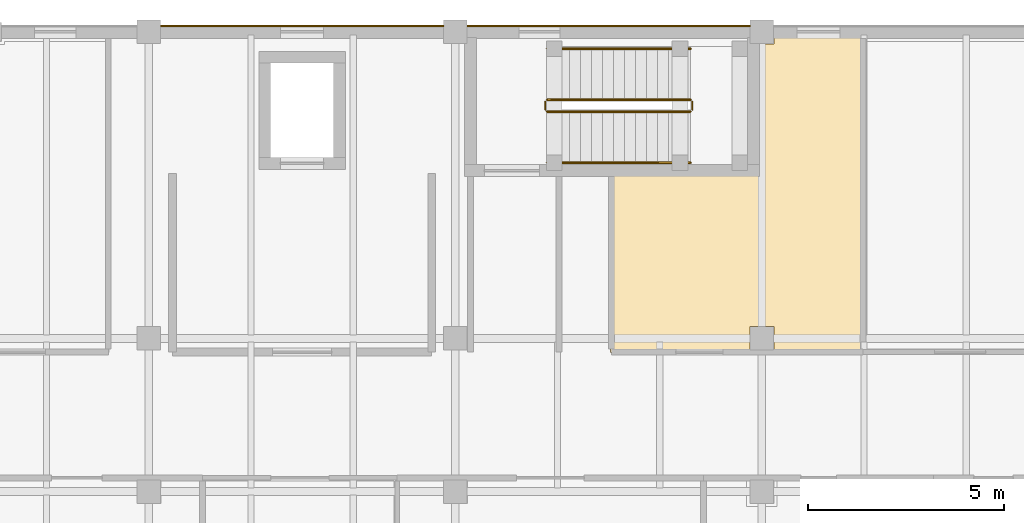
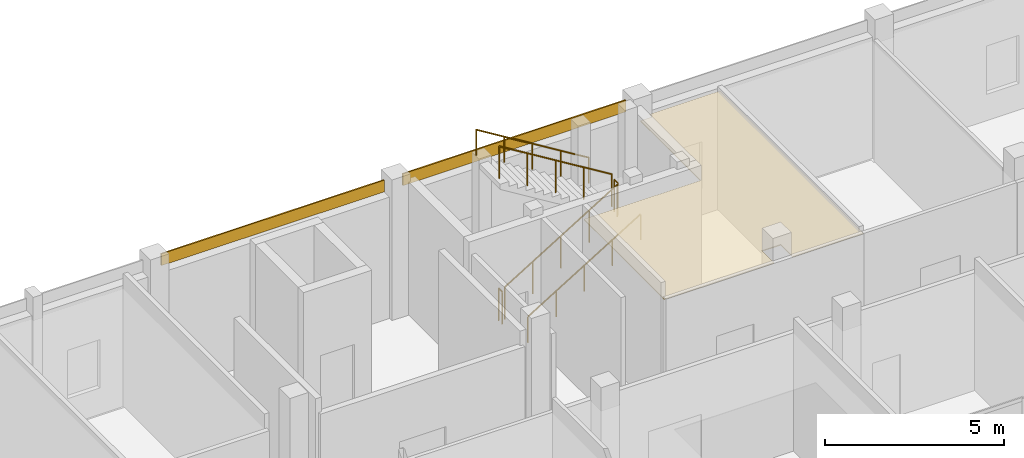
# One storey, part 135 of 138: 6 railings, 3 coverings.
"""IFC4 building model written with IfcOpenShell, lengths in metres."""

from ifc_helpers import new_model, si_unit, direction, frame, origin, origin_2d, place, context, subcontext, project, spatial, polyline, rectangle, circle, outline, extrude, material, layer, layer_set, type_object, element, save


model = new_model("IFC4")

# Units and contexts
model_context = context("Model", 3, precision=1e-05, world=origin(), true_north=direction((0.0, 1.0)))
body_context = subcontext(model_context, "Body", "Model", "MODEL_VIEW")
ifc_project = project(units=[si_unit("LENGTHUNIT", "METRE"), si_unit("AREAUNIT", "SQUARE_METRE"), si_unit("VOLUMEUNIT", "CUBIC_METRE"), si_unit("PLANEANGLEUNIT", "RADIAN"), si_unit("MASSUNIT", "GRAM", prefix="KILO")], contexts=[model_context])

# Site, building, storey
site_placement = place(None, origin())
site = spatial("IfcSite", under=ifc_project, at=site_placement, CompositionType="ELEMENT")
building_placement = place(site_placement, origin())
building = spatial("IfcBuilding", under=site, at=building_placement, Name="Celorna Specialist Clinic", CompositionType="ELEMENT")
storey_placement = place(building_placement, frame((0.0, 0.0, 4.800048828125)))
storey = spatial("IfcBuildingStorey", under=building, at=storey_placement, Name="L01", CompositionType="ELEMENT", Elevation=4.800048828125)

# Coverings
ifc_material_1 = material(Name="Hygienic acoustic mineral-fibre ceiling")
ifc_layer_1 = layer(ifc_material_1, 0.030029296875, Name="Hygienic acoustic mineral-fibre ceiling")
ifc_layer_set_1 = layer_set([ifc_layer_1], Name="Hygienic acoustic mineral-fibre ceiling")
covering_type_1 = type_object("IfcCoveringType", Name="CE-01", PredefinedType="CEILING", material=ifc_layer_set_1)
covering_placement = place(storey_placement, frame((0.0, 0.0, 3.989990234375)))
element("IfcCovering", 1, at=covering_placement, inside=storey, type_object=covering_type_1, Name="Acoustic ceiling L01-083", PredefinedType="CEILING", context=body_context, shape_type="SweptSolid", body=[
    extrude(outline(polyline([(120.955078125, 107.8349609375), (120.955078125, 112.3349609375), (124.72509765625, 112.3349609375), (124.72509765625, 115.695068359375), (125.10498046875, 115.695068359375), (125.10498046875, 115.844970703125), (127.385009765625, 115.844970703125), (127.385009765625, 107.8349609375), (125.094970703125, 107.8349609375), (125.094970703125, 107.89501953125), (125.10498046875, 107.89501953125), (125.10498046875, 108.5048828125), (124.4951171875, 108.5048828125), (124.4951171875, 107.89501953125), (124.5048828125, 107.89501953125), (124.5048828125, 107.8349609375), (120.955078125, 107.8349609375)])), origin(), (0.0, 0.0, 1.0), 0.030029296875),
])
ifc_material_2 = material(Name="Pero Pinheiro Lioz limestone rainscreen cladding", Category="masonry")
ifc_layer_2 = layer(ifc_material_2, 0.044921875, Name="Pero Pinheiro Lioz limestone rainscreen cladding")
ifc_layer_set_2 = layer_set([ifc_layer_2], Name="Pero Pinheiro Lioz limestone rainscreen cladding")
covering_type_2 = type_object("IfcCoveringType", Name="CL-01", PredefinedType="CLADDING", material=ifc_layer_set_2)
for number, where, z_axis, x_axis, name in (
    (2, (113.10009765625, 116.1474609375, 4.139892578125), (0.0, 0.0, 1.0), (1.0, 0.0, 0.0), "Lioz spandrel cladding #216"),
    (3, (120.89990234375, 116.1474609375, 4.139892578125), (0.0, 0.0, 1.0), (1.0, 0.0, 0.0), "Lioz spandrel cladding #217"),
):
    element("IfcCovering", number, at=place(storey_placement, frame(where, z_axis=z_axis, x_axis=x_axis)), inside=storey, type_object=covering_type_2, Name=name, PredefinedType="CLADDING", context=body_context, shape_type="SweptSolid", body=[
        extrude(rectangle(XDim=7.199951171875, YDim=0.044921875, at=origin_2d()), origin(), (0.0, 0.0, 1.0), 0.39990234375),
    ])

# Railings
ifc_material_3 = material(Name="Powder-coated steel S355", Category="steel")
railing_type_1 = type_object("IfcRailingType", Name="GR-01", PredefinedType="GUARDRAIL", material=ifc_material_3)
railing_1_placement = place(storey_placement, frame((119.340087890625, 113.969970703125, 0.17138671875)))
element("IfcRailing", 4, at=railing_1_placement, inside=storey, type_object=railing_type_1, Name="L01 ST-03 stair guard 1", PredefinedType="GUARDRAIL", context=body_context, shape_type="SweptSolid", body=[
    extrude(circle(Radius=0.02392578125, at=origin_2d()), frame((0.0, 0.0, 1.09619140625), z_axis=(0.852850264322, 0.0, 0.5221555579), x_axis=(0.0, 1.0, 0.0)), (0.0, 0.0, 1.0), 4.267822265625),
    extrude(circle(Radius=0.02099609375, at=origin_2d()), origin(), (0.0, 0.0, 1.0), 1.072021484375),
    extrude(circle(Radius=0.02099609375, at=origin_2d()), frame((0.909912109375, 0.0, 0.55712890625)), (0.0, 0.0, 1.0), 1.072021484375),
    extrude(circle(Radius=0.02099609375, at=origin_2d()), frame((1.81982421875, 0.0, 1.1142578125)), (0.0, 0.0, 1.0), 1.072021484375),
    extrude(circle(Radius=0.02099609375, at=origin_2d()), frame((2.72998046875, 0.0, 1.67138671875)), (0.0, 0.0, 1.0), 1.072021484375),
    extrude(circle(Radius=0.02099609375, at=origin_2d()), frame((3.639892578125, 0.0, 2.228515625)), (0.0, 0.0, 1.0), 1.072021484375),
])
railing_2_placement = place(storey_placement, frame((123.030029296875, 114.02001953125, 2.39990234375)))
element("IfcRailing", 5, at=railing_2_placement, inside=storey, type_object=railing_type_1, Name="L01 ST-03 stair guard 2", PredefinedType="GUARDRAIL", context=body_context, shape_type="SweptSolid", body=[
    extrude(circle(Radius=0.02392578125, at=origin_2d()), frame((0.0, 0.0, 1.09619140625), z_axis=(0.0, 1.0, 0.0), x_axis=(-1.0, 0.0, 0.0)), (0.0, 0.0, 1.0), 0.199951171875),
    extrude(circle(Radius=0.02099609375, at=origin_2d()), origin(), (0.0, 0.0, 1.0), 1.072021484375),
    extrude(circle(Radius=0.02099609375, at=origin_2d()), frame((0.0, 0.199951171875, 0.0)), (0.0, 0.0, 1.0), 1.072021484375),
])
railing_3_placement = place(storey_placement, frame((122.97998046875, 114.27001953125, 2.5712890625)))
element("IfcRailing", 6, at=railing_3_placement, inside=storey, type_object=railing_type_1, Name="L01 ST-03 stair guard 3", PredefinedType="GUARDRAIL", context=body_context, shape_type="SweptSolid", body=[
    extrude(circle(Radius=0.02392578125, at=origin_2d()), frame((0.0, 0.0, 1.09619140625), z_axis=(-0.852824790078, 0.0, 0.522197163366), x_axis=(0.0, -1.0, 0.0)), (0.0, 0.0, 1.0), 4.26806640625),
    extrude(circle(Radius=0.02099609375, at=origin_2d()), origin(), (0.0, 0.0, 1.0), 1.072021484375),
    extrude(circle(Radius=0.02099609375, at=origin_2d()), frame((-0.909912109375, 0.0, 0.55712890625)), (0.0, 0.0, 1.0), 1.072021484375),
    extrude(circle(Radius=0.02099609375, at=origin_2d()), frame((-1.81982421875, 0.0, 1.1142578125)), (0.0, 0.0, 1.0), 1.072021484375),
    extrude(circle(Radius=0.02099609375, at=origin_2d()), frame((-2.72998046875, 0.0, 1.671630859375)), (0.0, 0.0, 1.0), 1.072021484375),
    extrude(circle(Radius=0.02099609375, at=origin_2d()), frame((-3.639892578125, 0.0, 2.228759765625)), (0.0, 0.0, 1.0), 1.072021484375),
])
railing_4_placement = place(storey_placement, frame((119.2900390625, 114.02001953125, 0.0)))
element("IfcRailing", 7, at=railing_4_placement, inside=storey, type_object=railing_type_1, Name="L01 ST-03 stair guard 4", PredefinedType="GUARDRAIL", context=body_context, shape_type="SweptSolid", body=[
    extrude(circle(Radius=0.02392578125, at=origin_2d()), frame((0.0, 0.0, 1.09619140625), z_axis=(0.0, 1.0, 0.0), x_axis=(-1.0, 0.0, 0.0)), (0.0, 0.0, 1.0), 0.199951171875),
    extrude(circle(Radius=0.02099609375, at=origin_2d()), origin(), (0.0, 0.0, 1.0), 1.072021484375),
    extrude(circle(Radius=0.02099609375, at=origin_2d()), frame((0.0, 0.199951171875, 0.0)), (0.0, 0.0, 1.0), 1.072021484375),
])
ifc_material_4 = material(Name="Brushed stainless steel handrail", Category="steel")
railing_type_2 = type_object("IfcRailingType", Name="HR-01", PredefinedType="HANDRAIL", material=ifc_material_4)
railing_5_placement = place(storey_placement, frame((119.340087890625, 112.669921875, 0.17138671875)))
element("IfcRailing", 8, at=railing_5_placement, inside=storey, type_object=railing_type_2, Name="L01 ST-03 stair handrail 1", PredefinedType="HANDRAIL", context=body_context, shape_type="SweptSolid", body=[
    extrude(circle(Radius=0.02392578125, at=origin_2d()), frame((0.0, 0.0, 0.8759765625), z_axis=(0.852850264322, 0.0, 0.5221555579), x_axis=(0.0, 1.0, 0.0)), (0.0, 0.0, 1.0), 4.267822265625),
    extrude(circle(Radius=0.02099609375, at=origin_2d()), origin(), (0.0, 0.0, 1.0), 0.851806640625),
    extrude(circle(Radius=0.02099609375, at=origin_2d()), frame((0.909912109375, 0.0, 0.55712890625)), (0.0, 0.0, 1.0), 0.851806640625),
    extrude(circle(Radius=0.02099609375, at=origin_2d()), frame((1.81982421875, 0.0, 1.1142578125)), (0.0, 0.0, 1.0), 0.851806640625),
    extrude(circle(Radius=0.02099609375, at=origin_2d()), frame((2.72998046875, 0.0, 1.67138671875)), (0.0, 0.0, 1.0), 0.851806640625),
    extrude(circle(Radius=0.02099609375, at=origin_2d()), frame((3.639892578125, 0.0, 2.228515625)), (0.0, 0.0, 1.0), 0.851806640625),
])
railing_6_placement = place(storey_placement, frame((122.97998046875, 115.570068359375, 2.5712890625)))
element("IfcRailing", 9, at=railing_6_placement, inside=storey, type_object=railing_type_2, Name="L01 ST-03 stair handrail 2", PredefinedType="HANDRAIL", context=body_context, shape_type="SweptSolid", body=[
    extrude(circle(Radius=0.02392578125, at=origin_2d()), frame((0.0, 0.0, 0.8759765625), z_axis=(-0.852824790078, 0.0, 0.522197163366), x_axis=(0.0, -1.0, 0.0)), (0.0, 0.0, 1.0), 4.26806640625),
    extrude(circle(Radius=0.02099609375, at=origin_2d()), origin(), (0.0, 0.0, 1.0), 0.851806640625),
    extrude(circle(Radius=0.02099609375, at=origin_2d()), frame((-0.909912109375, 0.0, 0.55712890625)), (0.0, 0.0, 1.0), 0.851806640625),
    extrude(circle(Radius=0.02099609375, at=origin_2d()), frame((-1.81982421875, 0.0, 1.1142578125)), (0.0, 0.0, 1.0), 0.851806640625),
    extrude(circle(Radius=0.02099609375, at=origin_2d()), frame((-2.72998046875, 0.0, 1.671630859375)), (0.0, 0.0, 1.0), 0.851806640625),
    extrude(circle(Radius=0.02099609375, at=origin_2d()), frame((-3.639892578125, 0.0, 2.228759765625)), (0.0, 0.0, 1.0), 0.851806640625),
])

save(model, "model.ifc")
